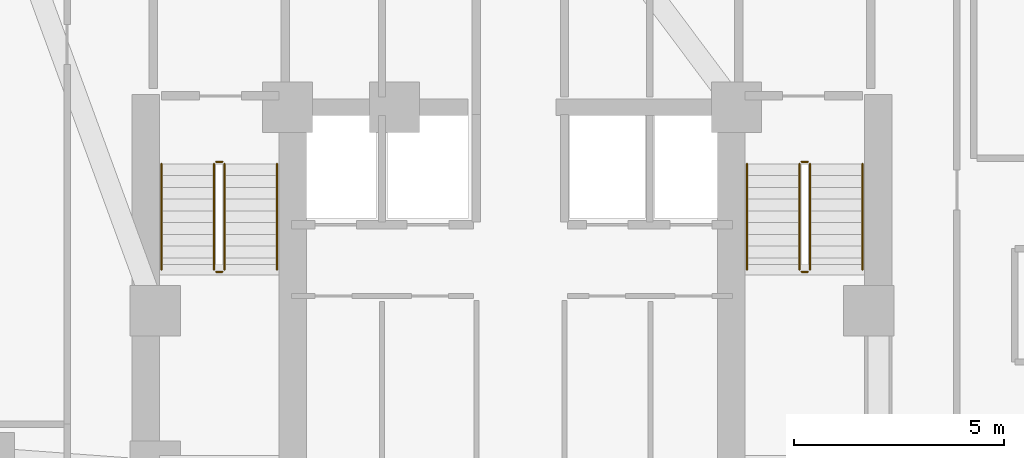
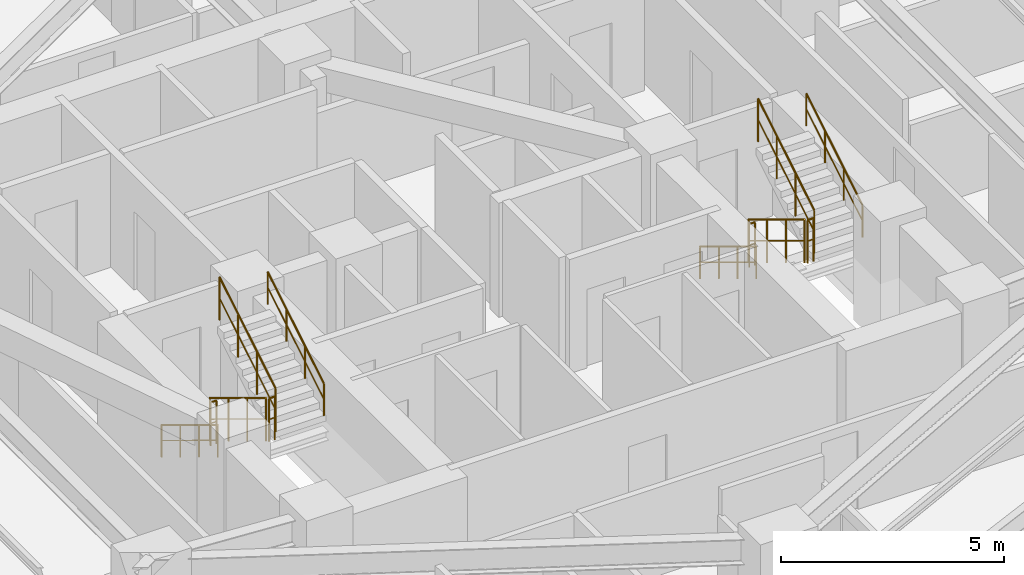
# One storey, part 13 of 13: 12 railings.
"""IFC4 building model written with IfcOpenShell, lengths in metres."""

from ifc_helpers import new_model, si_unit, direction, frame, origin, origin_2d, place, context, subcontext, project, spatial, circle, extrude, material, type_object, element, save


model = new_model("IFC4")

# Units and contexts
model_context = context("Model", 3, precision=1e-05, world=origin(), true_north=direction((0.0, 1.0)))
body_context = subcontext(model_context, "Body", "Model", "MODEL_VIEW")
ifc_project = project(units=[si_unit("LENGTHUNIT", "METRE"), si_unit("AREAUNIT", "SQUARE_METRE"), si_unit("VOLUMEUNIT", "CUBIC_METRE"), si_unit("PLANEANGLEUNIT", "RADIAN"), si_unit("MASSUNIT", "GRAM", prefix="KILO")], contexts=[model_context])

# Site, building, storey
site_placement = place(None, origin())
site = spatial("IfcSite", under=ifc_project, at=site_placement, CompositionType="ELEMENT")
building_placement = place(site_placement, origin())
building = spatial("IfcBuilding", under=site, at=building_placement, Name="Miruveldt Soraemaru", CompositionType="ELEMENT")
storey_placement = place(building_placement, frame((0.0, 0.0, 49.60009765625)))
storey = spatial("IfcBuildingStorey", under=building, at=storey_placement, Name="L13", CompositionType="ELEMENT", Elevation=49.60009765625)

# Railings
ifc_material = material(Name="Steel S355 (355 MPa)", Category="steel")
railing_type_1 = type_object("IfcRailingType", Name="RAIL-HR-900", PredefinedType="HANDRAIL", material=ifc_material)
railing_1_placement = place(storey_placement, frame((35.64990234375, 42.699951171875, 0.169921875)))
element("IfcRailing", 1, at=railing_1_placement, inside=storey, type_object=railing_type_1, Name="L13 ST-1 stair handrail 1", PredefinedType="HANDRAIL", context=body_context, shape_type="SweptSolid", body=[
    extrude(circle(Radius=0.02392578125, at=origin_2d()), frame((0.0, 0.0, 0.8759765625), z_axis=(0.0, -0.85478489116, 0.518982456201), x_axis=(1.0, 0.0, 0.0)), (0.0, 0.0, 1.0), 2.9482421875),
    extrude(circle(Radius=0.01611328125, at=origin_2d()), frame((0.0, 0.0, 0.449951171875), z_axis=(0.0, -0.85478489116, 0.518982456201), x_axis=(1.0, 0.0, 0.0)), (0.0, 0.0, 1.0), 2.9482421875),
    extrude(circle(Radius=0.02099609375, at=origin_2d()), origin(), (0.0, 0.0, 1.0), 0.851806640625),
    extrude(circle(Radius=0.02099609375, at=origin_2d()), frame((0.0, -0.840087890625, 0.510009765625)), (0.0, 0.0, 1.0), 0.851806640625),
    extrude(circle(Radius=0.02099609375, at=origin_2d()), frame((0.0, -1.679931640625, 1.02001953125)), (0.0, 0.0, 1.0), 0.851806640625),
    extrude(circle(Radius=0.02099609375, at=origin_2d()), frame((0.0, -2.52001953125, 1.530029296875)), (0.0, 0.0, 1.0), 0.851806640625),
])
railing_2_placement = place(storey_placement, frame((38.39990234375, 40.179931640625, 1.869873046875)))
element("IfcRailing", 2, at=railing_2_placement, inside=storey, type_object=railing_type_1, Name="L13 ST-1 stair handrail 2", PredefinedType="HANDRAIL", context=body_context, shape_type="SweptSolid", body=[
    extrude(circle(Radius=0.02392578125, at=origin_2d()), frame((0.0, 0.0, 0.8759765625), z_axis=(0.0, 0.85478489116, 0.518982456201), x_axis=(-1.0, 0.0, 0.0)), (0.0, 0.0, 1.0), 2.9482421875),
    extrude(circle(Radius=0.01611328125, at=origin_2d()), frame((0.0, 0.0, 0.449951171875), z_axis=(0.0, 0.85478489116, 0.518982456201), x_axis=(-1.0, 0.0, 0.0)), (0.0, 0.0, 1.0), 2.9482421875),
    extrude(circle(Radius=0.02099609375, at=origin_2d()), origin(), (0.0, 0.0, 1.0), 0.851806640625),
    extrude(circle(Radius=0.02099609375, at=origin_2d()), frame((0.0, 0.840087890625, 0.510009765625)), (0.0, 0.0, 1.0), 0.851806640625),
    extrude(circle(Radius=0.02099609375, at=origin_2d()), frame((0.0, 1.679931640625, 1.02001953125)), (0.0, 0.0, 1.0), 0.851806640625),
    extrude(circle(Radius=0.02099609375, at=origin_2d()), frame((0.0, 2.52001953125, 1.530029296875)), (0.0, 0.0, 1.0), 0.851806640625),
])
railing_3_placement = place(storey_placement, frame((49.60009765625, 42.699951171875, 0.169921875)))
element("IfcRailing", 3, at=railing_3_placement, inside=storey, type_object=railing_type_1, Name="L13 ST-2 stair handrail 1", PredefinedType="HANDRAIL", context=body_context, shape_type="SweptSolid", body=[
    extrude(circle(Radius=0.02392578125, at=origin_2d()), frame((0.0, 0.0, 0.8759765625), z_axis=(0.0, -0.85478489116, 0.518982456201), x_axis=(1.0, 0.0, 0.0)), (0.0, 0.0, 1.0), 2.9482421875),
    extrude(circle(Radius=0.01611328125, at=origin_2d()), frame((0.0, 0.0, 0.449951171875), z_axis=(0.0, -0.85478489116, 0.518982456201), x_axis=(1.0, 0.0, 0.0)), (0.0, 0.0, 1.0), 2.9482421875),
    extrude(circle(Radius=0.02099609375, at=origin_2d()), origin(), (0.0, 0.0, 1.0), 0.851806640625),
    extrude(circle(Radius=0.02099609375, at=origin_2d()), frame((0.0, -0.840087890625, 0.510009765625)), (0.0, 0.0, 1.0), 0.851806640625),
    extrude(circle(Radius=0.02099609375, at=origin_2d()), frame((0.0, -1.679931640625, 1.02001953125)), (0.0, 0.0, 1.0), 0.851806640625),
    extrude(circle(Radius=0.02099609375, at=origin_2d()), frame((0.0, -2.52001953125, 1.530029296875)), (0.0, 0.0, 1.0), 0.851806640625),
])
railing_4_placement = place(storey_placement, frame((52.35009765625, 40.179931640625, 1.869873046875)))
element("IfcRailing", 4, at=railing_4_placement, inside=storey, type_object=railing_type_1, Name="L13 ST-2 stair handrail 2", PredefinedType="HANDRAIL", context=body_context, shape_type="SweptSolid", body=[
    extrude(circle(Radius=0.02392578125, at=origin_2d()), frame((0.0, 0.0, 0.8759765625), z_axis=(0.0, 0.85478489116, 0.518982456201), x_axis=(-1.0, 0.0, 0.0)), (0.0, 0.0, 1.0), 2.9482421875),
    extrude(circle(Radius=0.01611328125, at=origin_2d()), frame((0.0, 0.0, 0.449951171875), z_axis=(0.0, 0.85478489116, 0.518982456201), x_axis=(-1.0, 0.0, 0.0)), (0.0, 0.0, 1.0), 2.9482421875),
    extrude(circle(Radius=0.02099609375, at=origin_2d()), origin(), (0.0, 0.0, 1.0), 0.851806640625),
    extrude(circle(Radius=0.02099609375, at=origin_2d()), frame((0.0, 0.840087890625, 0.510009765625)), (0.0, 0.0, 1.0), 0.851806640625),
    extrude(circle(Radius=0.02099609375, at=origin_2d()), frame((0.0, 1.679931640625, 1.02001953125)), (0.0, 0.0, 1.0), 0.851806640625),
    extrude(circle(Radius=0.02099609375, at=origin_2d()), frame((0.0, 2.52001953125, 1.530029296875)), (0.0, 0.0, 1.0), 0.851806640625),
])
railing_type_2 = type_object("IfcRailingType", Name="RAIL-STGUARD-1200", PredefinedType="GUARDRAIL", material=ifc_material)
railing_5_placement = place(storey_placement, frame((36.89990234375, 42.699951171875, 0.169921875)))
element("IfcRailing", 5, at=railing_5_placement, inside=storey, type_object=railing_type_2, Name="L13 ST-1 stair guard 1", PredefinedType="GUARDRAIL", context=body_context, shape_type="SweptSolid", body=[
    extrude(circle(Radius=0.02392578125, at=origin_2d()), frame((0.0, 0.0, 1.17578125), z_axis=(0.0, -0.85478489116, 0.518982456201), x_axis=(1.0, 0.0, 0.0)), (0.0, 0.0, 1.0), 2.9482421875),
    extrude(circle(Radius=0.01611328125, at=origin_2d()), frame((0.0, 0.0, 0.60009765625), z_axis=(0.0, -0.85478489116, 0.518982456201), x_axis=(1.0, 0.0, 0.0)), (0.0, 0.0, 1.0), 2.9482421875),
    extrude(circle(Radius=0.02099609375, at=origin_2d()), origin(), (0.0, 0.0, 1.0), 1.15185546875),
    extrude(circle(Radius=0.02099609375, at=origin_2d()), frame((0.0, -0.840087890625, 0.510009765625)), (0.0, 0.0, 1.0), 1.15185546875),
    extrude(circle(Radius=0.02099609375, at=origin_2d()), frame((0.0, -1.679931640625, 1.02001953125)), (0.0, 0.0, 1.0), 1.15185546875),
    extrude(circle(Radius=0.02099609375, at=origin_2d()), frame((0.0, -2.52001953125, 1.530029296875)), (0.0, 0.0, 1.0), 1.15185546875),
])
railing_6_placement = place(storey_placement, frame((36.949951171875, 40.1298828125, 1.699951171875)))
element("IfcRailing", 6, at=railing_6_placement, inside=storey, type_object=railing_type_2, Name="L13 ST-1 stair guard 2", PredefinedType="GUARDRAIL", context=body_context, shape_type="SweptSolid", body=[
    extrude(circle(Radius=0.02392578125, at=origin_2d()), frame((0.0, 0.0, 1.17578125), z_axis=(1.0, 0.0, 0.0), x_axis=(0.0, 1.0, 0.0)), (0.0, 0.0, 1.0), 0.150146484375),
    extrude(circle(Radius=0.01611328125, at=origin_2d()), frame((0.0, 0.0, 0.60009765625), z_axis=(1.0, 0.0, 0.0), x_axis=(0.0, 1.0, 0.0)), (0.0, 0.0, 1.0), 0.150146484375),
    extrude(circle(Radius=0.02099609375, at=origin_2d()), origin(), (0.0, 0.0, 1.0), 1.15185546875),
    extrude(circle(Radius=0.02099609375, at=origin_2d()), frame((0.150146484375, 0.0, 0.0)), (0.0, 0.0, 1.0), 1.15185546875),
])
railing_7_placement = place(storey_placement, frame((37.14990234375, 40.179931640625, 1.869873046875)))
element("IfcRailing", 7, at=railing_7_placement, inside=storey, type_object=railing_type_2, Name="L13 ST-1 stair guard 3", PredefinedType="GUARDRAIL", context=body_context, shape_type="SweptSolid", body=[
    extrude(circle(Radius=0.02392578125, at=origin_2d()), frame((0.0, 0.0, 1.17578125), z_axis=(0.0, 0.85478489116, 0.518982456201), x_axis=(-1.0, 0.0, 0.0)), (0.0, 0.0, 1.0), 2.9482421875),
    extrude(circle(Radius=0.01611328125, at=origin_2d()), frame((0.0, 0.0, 0.60009765625), z_axis=(0.0, 0.85478489116, 0.518982456201), x_axis=(-1.0, 0.0, 0.0)), (0.0, 0.0, 1.0), 2.9482421875),
    extrude(circle(Radius=0.02099609375, at=origin_2d()), origin(), (0.0, 0.0, 1.0), 1.15185546875),
    extrude(circle(Radius=0.02099609375, at=origin_2d()), frame((0.0, 0.840087890625, 0.510009765625)), (0.0, 0.0, 1.0), 1.15185546875),
    extrude(circle(Radius=0.02099609375, at=origin_2d()), frame((0.0, 1.679931640625, 1.02001953125)), (0.0, 0.0, 1.0), 1.15185546875),
    extrude(circle(Radius=0.02099609375, at=origin_2d()), frame((0.0, 2.52001953125, 1.530029296875)), (0.0, 0.0, 1.0), 1.15185546875),
])
railing_8_placement = place(storey_placement, frame((36.949951171875, 42.75, 0.0)))
element("IfcRailing", 8, at=railing_8_placement, inside=storey, type_object=railing_type_2, Name="L13 ST-1 stair guard 4", PredefinedType="GUARDRAIL", context=body_context, shape_type="SweptSolid", body=[
    extrude(circle(Radius=0.02392578125, at=origin_2d()), frame((0.0, 0.0, 1.17578125), z_axis=(1.0, 0.0, 0.0), x_axis=(0.0, 1.0, 0.0)), (0.0, 0.0, 1.0), 0.150146484375),
    extrude(circle(Radius=0.01611328125, at=origin_2d()), frame((0.0, 0.0, 0.60009765625), z_axis=(1.0, 0.0, 0.0), x_axis=(0.0, 1.0, 0.0)), (0.0, 0.0, 1.0), 0.150146484375),
    extrude(circle(Radius=0.02099609375, at=origin_2d()), origin(), (0.0, 0.0, 1.0), 1.15185546875),
    extrude(circle(Radius=0.02099609375, at=origin_2d()), frame((0.150146484375, 0.0, 0.0)), (0.0, 0.0, 1.0), 1.15185546875),
])
railing_9_placement = place(storey_placement, frame((50.85009765625, 42.699951171875, 0.169921875)))
element("IfcRailing", 9, at=railing_9_placement, inside=storey, type_object=railing_type_2, Name="L13 ST-2 stair guard 1", PredefinedType="GUARDRAIL", context=body_context, shape_type="SweptSolid", body=[
    extrude(circle(Radius=0.02392578125, at=origin_2d()), frame((0.0, 0.0, 1.17578125), z_axis=(0.0, -0.85478489116, 0.518982456201), x_axis=(1.0, 0.0, 0.0)), (0.0, 0.0, 1.0), 2.9482421875),
    extrude(circle(Radius=0.01611328125, at=origin_2d()), frame((0.0, 0.0, 0.60009765625), z_axis=(0.0, -0.85478489116, 0.518982456201), x_axis=(1.0, 0.0, 0.0)), (0.0, 0.0, 1.0), 2.9482421875),
    extrude(circle(Radius=0.02099609375, at=origin_2d()), origin(), (0.0, 0.0, 1.0), 1.15185546875),
    extrude(circle(Radius=0.02099609375, at=origin_2d()), frame((0.0, -0.840087890625, 0.510009765625)), (0.0, 0.0, 1.0), 1.15185546875),
    extrude(circle(Radius=0.02099609375, at=origin_2d()), frame((0.0, -1.679931640625, 1.02001953125)), (0.0, 0.0, 1.0), 1.15185546875),
    extrude(circle(Radius=0.02099609375, at=origin_2d()), frame((0.0, -2.52001953125, 1.530029296875)), (0.0, 0.0, 1.0), 1.15185546875),
])
railing_10_placement = place(storey_placement, frame((50.89990234375, 40.1298828125, 1.699951171875)))
element("IfcRailing", 10, at=railing_10_placement, inside=storey, type_object=railing_type_2, Name="L13 ST-2 stair guard 2", PredefinedType="GUARDRAIL", context=body_context, shape_type="SweptSolid", body=[
    extrude(circle(Radius=0.02392578125, at=origin_2d()), frame((0.0, 0.0, 1.17578125), z_axis=(1.0, 0.0, 0.0), x_axis=(0.0, 1.0, 0.0)), (0.0, 0.0, 1.0), 0.150146484375),
    extrude(circle(Radius=0.01611328125, at=origin_2d()), frame((0.0, 0.0, 0.60009765625), z_axis=(1.0, 0.0, 0.0), x_axis=(0.0, 1.0, 0.0)), (0.0, 0.0, 1.0), 0.150146484375),
    extrude(circle(Radius=0.02099609375, at=origin_2d()), origin(), (0.0, 0.0, 1.0), 1.15185546875),
    extrude(circle(Radius=0.02099609375, at=origin_2d()), frame((0.150146484375, 0.0, 0.0)), (0.0, 0.0, 1.0), 1.15185546875),
])
railing_11_placement = place(storey_placement, frame((51.10009765625, 40.179931640625, 1.869873046875)))
element("IfcRailing", 11, at=railing_11_placement, inside=storey, type_object=railing_type_2, Name="L13 ST-2 stair guard 3", PredefinedType="GUARDRAIL", context=body_context, shape_type="SweptSolid", body=[
    extrude(circle(Radius=0.02392578125, at=origin_2d()), frame((0.0, 0.0, 1.17578125), z_axis=(0.0, 0.85478489116, 0.518982456201), x_axis=(-1.0, 0.0, 0.0)), (0.0, 0.0, 1.0), 2.9482421875),
    extrude(circle(Radius=0.01611328125, at=origin_2d()), frame((0.0, 0.0, 0.60009765625), z_axis=(0.0, 0.85478489116, 0.518982456201), x_axis=(-1.0, 0.0, 0.0)), (0.0, 0.0, 1.0), 2.9482421875),
    extrude(circle(Radius=0.02099609375, at=origin_2d()), origin(), (0.0, 0.0, 1.0), 1.15185546875),
    extrude(circle(Radius=0.02099609375, at=origin_2d()), frame((0.0, 0.840087890625, 0.510009765625)), (0.0, 0.0, 1.0), 1.15185546875),
    extrude(circle(Radius=0.02099609375, at=origin_2d()), frame((0.0, 1.679931640625, 1.02001953125)), (0.0, 0.0, 1.0), 1.15185546875),
    extrude(circle(Radius=0.02099609375, at=origin_2d()), frame((0.0, 2.52001953125, 1.530029296875)), (0.0, 0.0, 1.0), 1.15185546875),
])
railing_12_placement = place(storey_placement, frame((50.89990234375, 42.75, 0.0)))
element("IfcRailing", 12, at=railing_12_placement, inside=storey, type_object=railing_type_2, Name="L13 ST-2 stair guard 4", PredefinedType="GUARDRAIL", context=body_context, shape_type="SweptSolid", body=[
    extrude(circle(Radius=0.02392578125, at=origin_2d()), frame((0.0, 0.0, 1.17578125), z_axis=(1.0, 0.0, 0.0), x_axis=(0.0, 1.0, 0.0)), (0.0, 0.0, 1.0), 0.150146484375),
    extrude(circle(Radius=0.01611328125, at=origin_2d()), frame((0.0, 0.0, 0.60009765625), z_axis=(1.0, 0.0, 0.0), x_axis=(0.0, 1.0, 0.0)), (0.0, 0.0, 1.0), 0.150146484375),
    extrude(circle(Radius=0.02099609375, at=origin_2d()), origin(), (0.0, 0.0, 1.0), 1.15185546875),
    extrude(circle(Radius=0.02099609375, at=origin_2d()), frame((0.150146484375, 0.0, 0.0)), (0.0, 0.0, 1.0), 1.15185546875),
])

save(model, "model.ifc")
